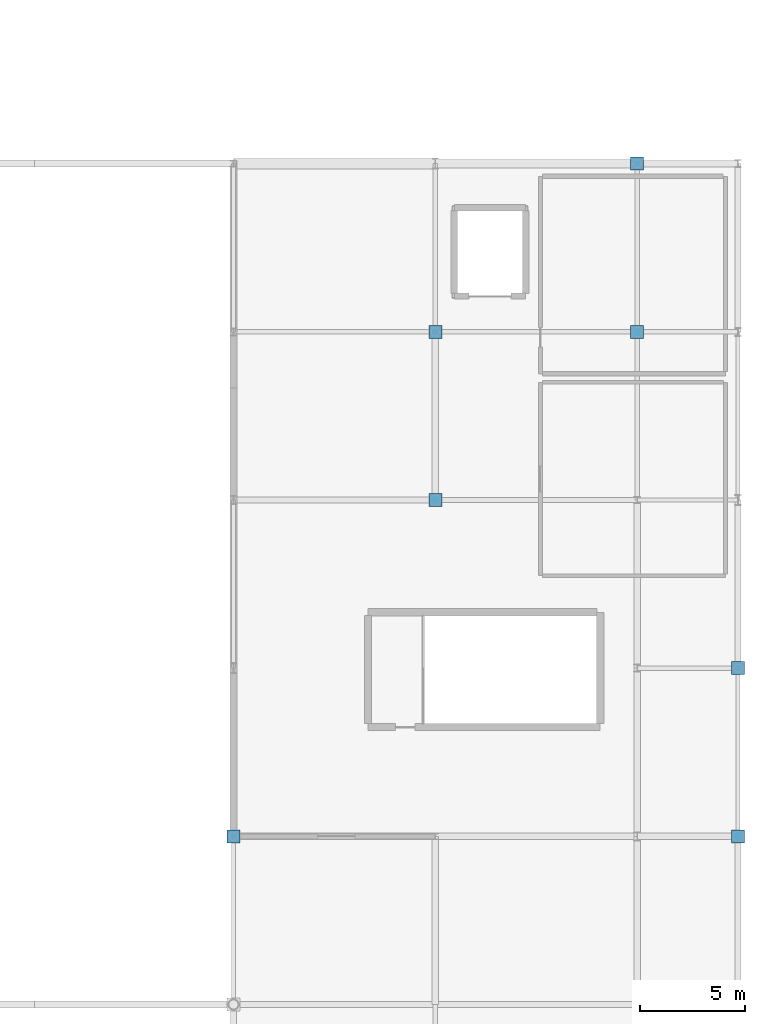
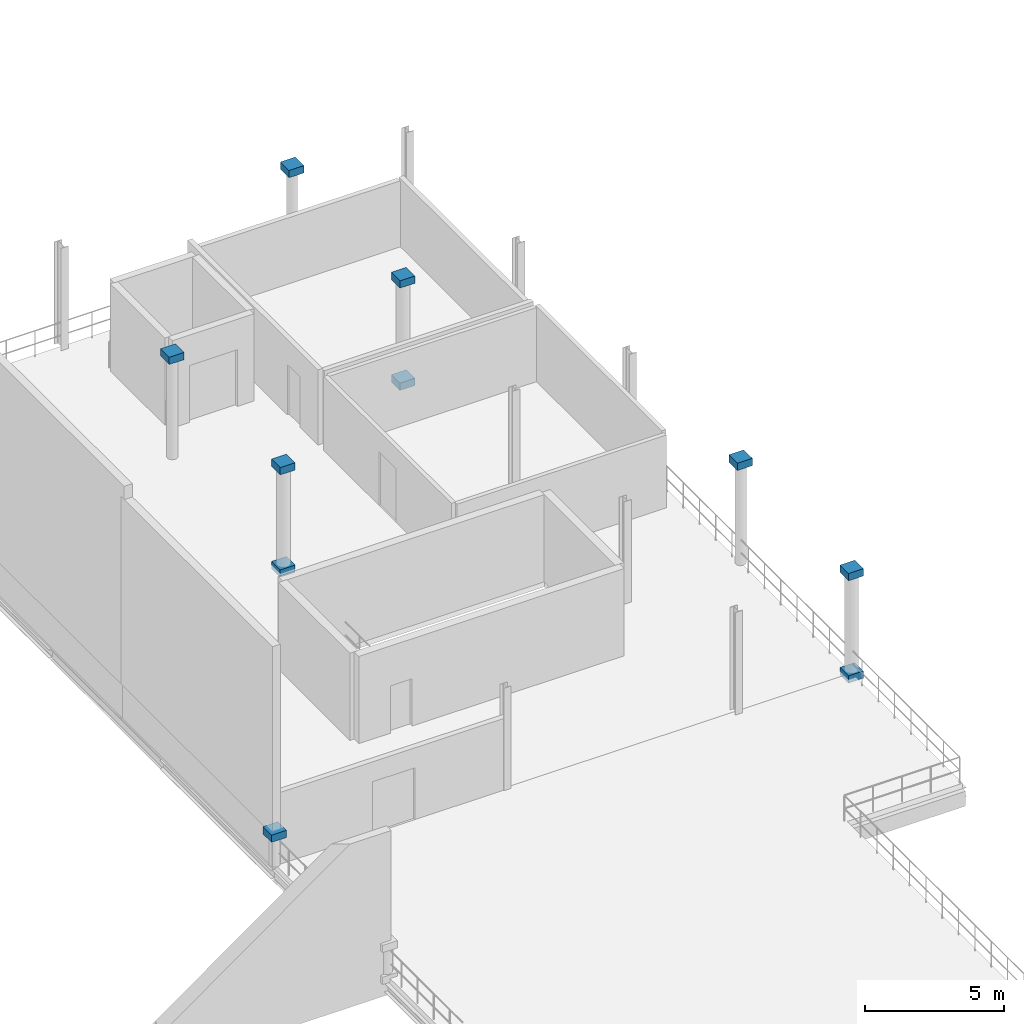
# One storey, part 47 of 59: 10 discrete accessories.
"""IFC4 building model written with IfcOpenShell, lengths in metres."""

from ifc_helpers import new_model, si_unit, direction, frame, origin, origin_2d, place, context, subcontext, project, spatial, rectangle, extrude, material, type_object, element, save


model = new_model("IFC4")

# Units and contexts
model_context = context("Model", 3, precision=1e-05, world=origin(), true_north=direction((0.0, 1.0)))
body_context = subcontext(model_context, "Body", "Model", "MODEL_VIEW")
ifc_project = project(units=[si_unit("LENGTHUNIT", "METRE"), si_unit("AREAUNIT", "SQUARE_METRE"), si_unit("VOLUMEUNIT", "CUBIC_METRE"), si_unit("PLANEANGLEUNIT", "RADIAN"), si_unit("MASSUNIT", "GRAM", prefix="KILO")], contexts=[model_context])

# Site, building, storey
site_placement = place(None, origin())
site = spatial("IfcSite", under=ifc_project, at=site_placement, CompositionType="ELEMENT")
building_placement = place(site_placement, origin())
building = spatial("IfcBuilding", under=site, at=building_placement, Name="Danafjord Basin Convention Centre", CompositionType="ELEMENT")
storey_placement = place(building_placement, frame((0.0, 0.0, 15.89990234375)))
storey = spatial("IfcBuildingStorey", under=building, at=storey_placement, Name="L03", CompositionType="ELEMENT", Elevation=15.89990234375)

# Discrete accessories
ifc_material = material(Name="Steel S355", Category="steel")
discrete_accessory_type = type_object("IfcDiscreteAccessoryType", Name="ACC-SF-HUB", PredefinedType="BRACKET", material=ifc_material)
for number, where, z_axis, x_axis, name in (
    (1, (192.0, 48.0, 1.240234375), (0.0, 0.0, 1.0), (1.0, 0.0, 0.0), "Tubular steel column top cap plate"),
    (2, (201.60009765625, 64.0, -0.16015625), (0.0, 0.0, 1.0), (1.0, 0.0, 0.0), "Tubular steel column transition collar"),
    (3, (201.60009765625, 64.0, 4.33984375), (0.0, 0.0, 1.0), (1.0, 0.0, 0.0), "Tubular steel column top cap plate"),
    (4, (201.60009765625, 72.0, 4.33984375), (0.0, 0.0, 1.0), (1.0, 0.0, 0.0), "Tubular steel column top cap plate"),
    (5, (211.199951171875, 72.0, -0.16015625), (0.0, 0.0, 1.0), (1.0, 0.0, 0.0), "Tubular steel column transition collar"),
    (6, (211.199951171875, 72.0, 4.33984375), (0.0, 0.0, 1.0), (1.0, 0.0, 0.0), "Tubular steel column top cap plate"),
    (7, (211.199951171875, 80.0, 4.33984375), (0.0, 0.0, 1.0), (1.0, 0.0, 0.0), "Tubular steel column top cap plate"),
    (8, (216.0, 48.0, -0.16015625), (0.0, 0.0, 1.0), (1.0, 0.0, 0.0), "Tubular steel column transition collar"),
    (9, (216.0, 48.0, 4.33984375), (0.0, 0.0, 1.0), (1.0, 0.0, 0.0), "Tubular steel column top cap plate"),
    (10, (216.0, 56.0, 4.33984375), (0.0, 0.0, 1.0), (1.0, 0.0, 0.0), "Tubular steel column top cap plate"),
):
    element("IfcDiscreteAccessory", number, at=place(storey_placement, frame(where, z_axis=z_axis, x_axis=x_axis)), inside=storey, type_object=discrete_accessory_type, Name=name, PredefinedType="BRACKET", context=body_context, shape_type="SweptSolid", body=[
        extrude(rectangle(XDim=0.6201171875, YDim=0.6201171875, at=origin_2d()), origin(), (0.0, 0.0, 1.0), 0.320068359375),
    ])

save(model, "model.ifc")
